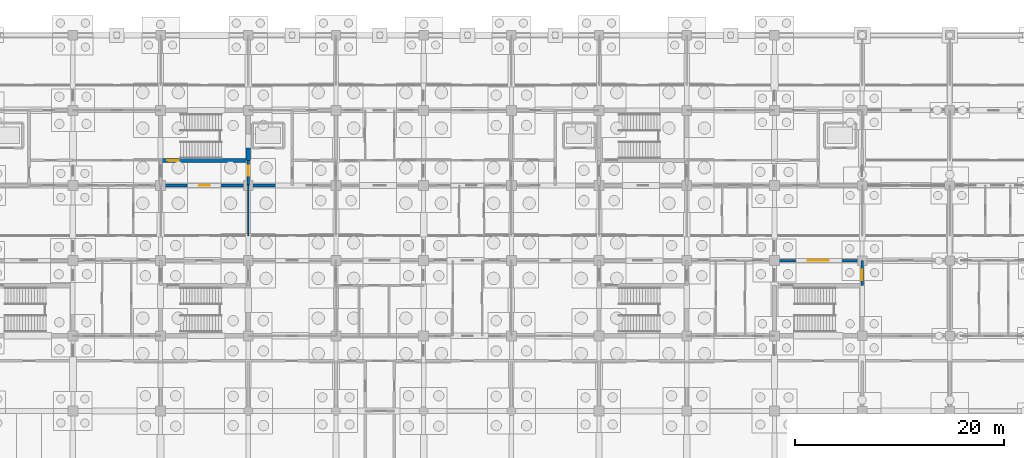
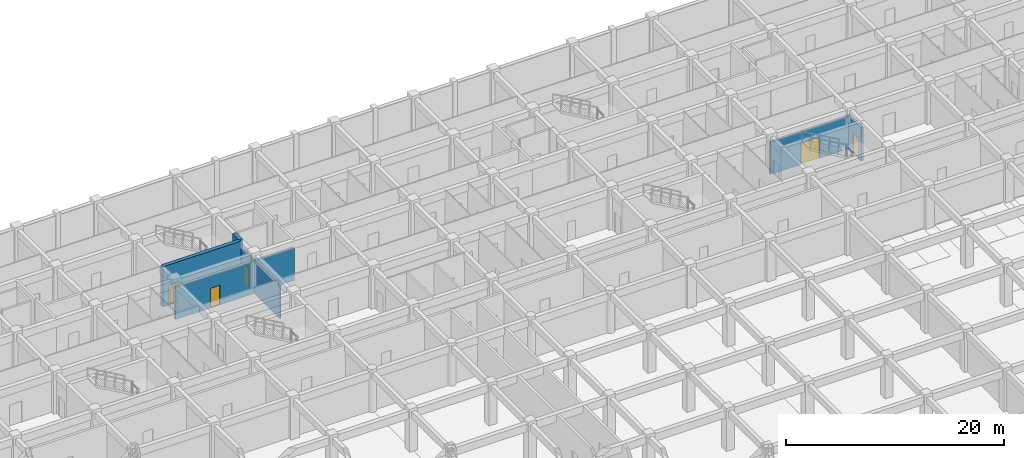
# One storey, part 39 of 85: 7 walls, 5 doors, 5 openings.
"""IFC4 building model written with IfcOpenShell, lengths in metres."""

import ifcopenshell
import ifcopenshell.guid

model = None  # the IFC model being written
_history = None  # IfcOwnerHistory: only IFC2X3 demands one
_inside = {}  # id of a spatial element -> (the spatial element, [elements in it])
_under = {}  # id of a project, library or spatial element -> (it, [spatial elements below it])
_declared = {}  # id of a project -> (the project, [libraries it declares])
_typed = {}  # id of a type object -> (the type object, [elements of that type])
_made_of = {}  # id of a material, layer set ... -> (it, [elements and type objects made of it])


def new_model(schema):
    """Start an empty IFC model of exactly this schema.

    Asked for "IFC4X3", IfcOpenShell would pick the latest addendum, in which some entities
    have other attributes; the version numbers below select the first issue.
    IFC2X3 requires an IfcOwnerHistory on every rooted entity: one is made here for all.
    """
    global model, _history
    if schema == "IFC4X3":
        model = ifcopenshell.file(schema_version=(4, 3, 0, 0))
    else:
        model = ifcopenshell.file(schema=schema)
    _inside.clear()
    _under.clear()
    _declared.clear()
    _typed.clear()
    _made_of.clear()
    _history = None
    if model.schema == "IFC2X3":
        org = make("IfcOrganization", Name="unknown")
        user = make(
            "IfcPersonAndOrganization",
            ThePerson=make("IfcPerson", FamilyName="unknown"),
            TheOrganization=org,
        )
        app = make(
            "IfcApplication",
            ApplicationDeveloper=org,
            Version="unknown",
            ApplicationFullName="unknown",
            ApplicationIdentifier="unknown",
        )
        _history = make(
            "IfcOwnerHistory",
            OwningUser=user,
            OwningApplication=app,
            ChangeAction="ADDED",
            CreationDate=0,
        )
    return model


def make(cls, **values):
    """One entity of the class cls with the attributes given. An attribute that is None is left unset."""
    return model.create_entity(
        cls, **{name: value for name, value in values.items() if value is not None}
    )


def rooted(cls, **values):
    """An entity with a GlobalId (a new one), such as an element, a storey or a relation."""
    return make(cls, GlobalId=ifcopenshell.guid.new(), OwnerHistory=_history, **values)


def si_unit(unit_type, name, prefix=None):
    """IfcSIUnit, for example si_unit("LENGTHUNIT", "METRE", prefix="MILLI")."""
    return make("IfcSIUnit", UnitType=unit_type, Prefix=prefix, Name=name)


def assignment(units):
    """IfcUnitAssignment: the units of a project."""
    return None if units is None else make("IfcUnitAssignment", Units=units)


def point(xyz):
    """IfcCartesianPoint."""
    return None if xyz is None else make("IfcCartesianPoint", Coordinates=xyz)


def direction(xyz):
    """IfcDirection."""
    return None if xyz is None else make("IfcDirection", DirectionRatios=xyz)


def frame(location, z_axis=None, x_axis=None):
    """IfcAxis2Placement3D, a coordinate frame: its origin and axes. An axis left out is left unset."""
    return make(
        "IfcAxis2Placement3D",
        Location=point(location),
        Axis=direction(z_axis),
        RefDirection=direction(x_axis),
    )


def frame_2d(location, x_axis=None):
    """IfcAxis2Placement2D, a coordinate frame in the plane: its origin and x axis."""
    return make(
        "IfcAxis2Placement2D", Location=point(location), RefDirection=direction(x_axis)
    )


def origin():
    """The frame at (0, 0, 0) with its axes left unset."""
    return frame((0.0, 0.0, 0.0))


def place(relative_to, where):
    """IfcLocalPlacement: puts the frame where relative to a parent placement (None: the world)."""
    return make(
        "IfcLocalPlacement", PlacementRelTo=relative_to, RelativePlacement=where
    )


def context(
    kind, dimensions, precision=None, world=None, true_north=None, identifier=None
):
    """IfcGeometricRepresentationContext, for example the 3D "Model" context."""
    return make(
        "IfcGeometricRepresentationContext",
        ContextIdentifier=identifier,
        ContextType=kind,
        CoordinateSpaceDimension=dimensions,
        Precision=precision,
        WorldCoordinateSystem=world,
        TrueNorth=true_north,
    )


def subcontext(parent, identifier, kind, view, scale=None):
    """IfcGeometricRepresentationSubContext, for example "Body" below "Model"."""
    return make(
        "IfcGeometricRepresentationSubContext",
        ContextIdentifier=identifier,
        ContextType=kind,
        ParentContext=parent,
        TargetScale=scale,
        TargetView=view,
    )


def project(units=None, contexts=None):
    """IfcProject with its units and contexts."""
    return rooted(
        "IfcProject",
        Name="project",
        RepresentationContexts=contexts,
        UnitsInContext=assignment(units),
    )


def spatial(cls, under=None, at=None, **own):
    """A site, building, storey or space (cls), placed at a placement, below another one or the project."""
    s = rooted(cls, ObjectPlacement=at, **own)
    if under is not None:
        _under.setdefault(under.id(), (under, []))[1].append(s)
    return s


def profile(cls, at=None, kind="AREA", **sizes):
    """A parametric profile (cls). Its sizes go by their IFC names, for example OverallWidth=200.0."""
    return make(cls, ProfileType=kind, Position=at, **sizes)


def rectangle(**sizes):
    """IfcRectangleProfileDef."""
    return profile("IfcRectangleProfileDef", **sizes)


def extrude(swept, where, along, depth):
    """IfcExtrudedAreaSolid: the profile swept, set in the frame where, extruded along a direction by depth."""
    return make(
        "IfcExtrudedAreaSolid",
        SweptArea=swept,
        Position=where,
        ExtrudedDirection=direction(along),
        Depth=depth,
    )


def shape(context_of_items, identifier, shape_type, items):
    """IfcShapeRepresentation: the items that make up one representation, for example the "Body"."""
    return make(
        "IfcShapeRepresentation",
        ContextOfItems=context_of_items,
        RepresentationIdentifier=identifier,
        RepresentationType=shape_type,
        Items=items,
    )


def material(Name=None, Category=None):
    """IfcMaterial."""
    return make("IfcMaterial", Name=Name, Category=Category)


def layer(
    of_material, thickness, ventilated=None, Name=None, Category=None, Priority=None
):
    """IfcMaterialLayer: one layer of a wall or slab, of a material (None: an air gap)."""
    return make(
        "IfcMaterialLayer",
        Material=of_material,
        LayerThickness=thickness,
        IsVentilated=ventilated,
        Name=Name,
        Category=Category,
        Priority=Priority,
    )


def layer_set(layers, Name=None):
    """IfcMaterialLayerSet."""
    return make("IfcMaterialLayerSet", MaterialLayers=layers, LayerSetName=Name)


def made_of(thing, what):
    """Note that an element or type object is made of a material, layer set ...; save() writes the relation."""
    if what is not None:
        _made_of.setdefault(what.id(), (what, []))[1].append(thing)
    return thing


def type_object(cls, material=None, **own):
    """A type object (cls), such as IfcWallType, which elements share."""
    return made_of(rooted(cls, **own), material)


def element(
    cls,
    number,
    at=None,
    inside=None,
    cuts=None,
    type_object=None,
    material=None,
    context=None,
    identifier="Body",
    shape_type=None,
    held_by="IfcProductDefinitionShape",
    body=None,
    shapes=None,
    **own,
):
    """One element of the class cls, such as IfcWall. Its Tag is "e" and its number.

    at: its placement. inside: the storey or other place that contains it. cuts: it is an
    opening in that element (IfcRelVoidsElement). A single representation is given by context,
    identifier, shape_type and body (its items); several are given by shapes. held_by: the class
    of the entity that holds the representations. save() writes the other relations.
    """
    e = rooted(cls, Tag="e%d" % number, ObjectPlacement=at, **own)
    if body is not None:
        shapes = [shape(context, identifier, shape_type, body)]
    if shapes is not None:
        e.Representation = make(held_by, Representations=shapes)
    if inside is not None:
        _inside.setdefault(inside.id(), (inside, []))[1].append(e)
    if cuts is not None:
        rooted(
            "IfcRelVoidsElement", RelatingBuildingElement=cuts, RelatedOpeningElement=e
        )
    if type_object is not None:
        _typed.setdefault(type_object.id(), (type_object, []))[1].append(e)
    return made_of(e, material)


def fill(opening, filler):
    """IfcRelFillsElement: the door or window that sits in an opening."""
    return rooted(
        "IfcRelFillsElement",
        RelatingOpeningElement=opening,
        RelatedBuildingElement=filler,
    )


def aggregate(whole, parts):
    """IfcRelAggregates: a whole, such as a stair, and the parts it consists of."""
    return rooted("IfcRelAggregates", RelatingObject=whole, RelatedObjects=parts)


def save(model, path):
    """Write the relations noted so far, then the file.

    IfcRelAggregates (storeys below a building ...), IfcRelContainedInSpatialStructure (elements
    in a storey), IfcRelDefinesByType, IfcRelAssociatesMaterial and IfcRelDeclares: one each for
    every whole, place, type object, material and project.
    """
    for whole, parts in _under.values():
        aggregate(whole, parts)
    for where, things in _inside.values():
        rooted(
            "IfcRelContainedInSpatialStructure",
            RelatedElements=things,
            RelatingStructure=where,
        )
    for kind, things in _typed.values():
        rooted("IfcRelDefinesByType", RelatedObjects=things, RelatingType=kind)
    for what, things in _made_of.values():
        rooted("IfcRelAssociatesMaterial", RelatedObjects=things, RelatingMaterial=what)
    for by, libraries in _declared.values():
        rooted("IfcRelDeclares", RelatingContext=by, RelatedDefinitions=libraries)
    model.write(path)


model = new_model("IFC4")

# Units and contexts
model_context = context("Model", 3, precision=1e-05, world=origin(), true_north=direction((0.0, 1.0)))
body_context = subcontext(model_context, "Body", "Model", "MODEL_VIEW")
ifc_project = project(units=[si_unit("LENGTHUNIT", "METRE"), si_unit("AREAUNIT", "SQUARE_METRE"), si_unit("VOLUMEUNIT", "CUBIC_METRE"), si_unit("PLANEANGLEUNIT", "RADIAN"), si_unit("MASSUNIT", "GRAM", prefix="KILO")], contexts=[model_context])

# Site, building, storey
site_placement = place(None, origin())
site = spatial("IfcSite", under=ifc_project, at=site_placement, CompositionType="ELEMENT")
building_placement = place(site_placement, origin())
building = spatial("IfcBuilding", under=site, at=building_placement, Name="Chengyuan Square Courthouse", CompositionType="ELEMENT")
storey_placement = place(building_placement, frame((0.0, 0.0, -10.199951171875)))
storey = spatial("IfcBuildingStorey", under=building, at=storey_placement, Name="B02", CompositionType="ELEMENT", Elevation=-10.199951171875)

# Wall, opening, door
ifc_material_1 = material(Name="Concrete C40", Category="concrete")
ifc_layer_1 = layer(ifc_material_1, 0.25)
ifc_layer_set_1 = layer_set([ifc_layer_1], Name="Concrete C40")
wall_type_1 = type_object("IfcWallType", Name="WL-FW1", PredefinedType="STANDARD", material=ifc_layer_set_1)
wall_1_placement = place(storey_placement, frame((117.60009765625, 93.60009765625, 0.0), z_axis=(0.0, 0.0, 1.0), x_axis=(1.0, 0.0, 0.0)))
wall_1 = element("IfcWall", 1, at=wall_1_placement, inside=storey, type_object=wall_type_1, Name="Interior Wall WL-B02-I058", PredefinedType="STANDARD", context=body_context, shape_type="SweptSolid", body=[
    extrude(rectangle(XDim=8.39990234375, YDim=0.25, at=frame_2d((4.199951171875, 0.0))), origin(), (0.0, 0.0, 1.0), 3.6298828125),
])
opening_1_placement = place(wall_1_placement, frame((3.21240234375, 0.0, 0.0)))
opening_1 = element("IfcOpeningElement", 2, at=opening_1_placement, cuts=wall_1, Name="Opening DR-036", PredefinedType="OPENING", context=body_context, shape_type="SweptSolid", body=[
    extrude(rectangle(XDim=2.0, YDim=2.39990234375, at=frame_2d((1.0, 1.199951171875))), frame((0.0, 0.136962890625, 0.0), z_axis=(0.0, -1.0, 0.0), x_axis=(1.0, 0.0, 0.0)), (0.0, 0.0, 1.0), 0.27392578125),
])
ifc_material_2 = material(Name="Steel Q235B Glazed Fire Door", Category="steel")
door_type_1 = type_object("IfcDoorType", Name="DT-20", OperationType="DOUBLE_DOOR_SINGLE_SWING", PredefinedType="DOOR", material=ifc_material_2)
door_1_placement = place(opening_1_placement, frame((2.0, 0.0, 0.0), z_axis=(0.0, 0.0, 1.0), x_axis=(-1.0, 0.0, 0.0)))
door_1 = element("IfcDoor", 3, at=door_1_placement, inside=storey, type_object=door_type_1, Name="Interior Door DR-036", OperationType="DOUBLE_DOOR_SINGLE_SWING", OverallHeight=2.39990234375, OverallWidth=2.0, PredefinedType="DOOR", context=body_context, shape_type="SweptSolid", body=[
    extrude(rectangle(XDim=2.0, YDim=2.39990234375, at=frame_2d((1.0, 1.199951171875))), frame((0.0, 0.02490234375, 0.0), z_axis=(0.0, -1.0, 0.0), x_axis=(1.0, 0.0, 0.0)), (0.0, 0.0, 1.0), 0.050048828125),
])
fill(opening_1, door_1)

wall_2_placement = place(storey_placement, frame((58.800048828125, 100.800048828125, 0.0), z_axis=(0.0, 0.0, 1.0), x_axis=(1.0, 0.0, 0.0)))
wall_2 = element("IfcWall", 4, at=wall_2_placement, inside=storey, type_object=wall_type_1, Name="Interior Wall WL-B02-I067", PredefinedType="STANDARD", context=body_context, shape_type="SweptSolid", body=[
    extrude(rectangle(XDim=12.599853515625, YDim=0.25, at=frame_2d((6.2998046875, 0.0))), origin(), (0.0, 0.0, 1.0), 3.6298828125),
])
opening_2_placement = place(wall_2_placement, frame((3.699951171875, 0.0, 0.0)))
opening_2 = element("IfcOpeningElement", 5, at=opening_2_placement, cuts=wall_2, Name="Opening DR-023", PredefinedType="OPENING", context=body_context, shape_type="SweptSolid", body=[
    extrude(rectangle(XDim=1.0, YDim=2.199951171875, at=frame_2d((0.5, 1.10009765625))), frame((0.0, 0.136962890625, 0.0), z_axis=(0.0, -1.0, 0.0), x_axis=(1.0, 0.0, 0.0)), (0.0, 0.0, 1.0), 0.27392578125),
])
ifc_material_3 = material(Name="Steel Q235B Fire Door", Category="steel")
door_type_2 = type_object("IfcDoorType", Name="DT-11", OperationType="NOTDEFINED", PredefinedType="DOOR", material=ifc_material_3)
door_2_placement = place(opening_2_placement, origin())
door_2 = element("IfcDoor", 6, at=door_2_placement, inside=storey, type_object=door_type_2, Name="Interior Door DR-023", OperationType="SINGLE_SWING_LEFT", OverallHeight=2.199951171875, OverallWidth=1.0, PredefinedType="DOOR", context=body_context, shape_type="SweptSolid", body=[
    extrude(rectangle(XDim=1.0, YDim=2.199951171875, at=frame_2d((0.5, 1.10009765625))), frame((0.0, 0.02490234375, 0.0), z_axis=(0.0, -1.0, 0.0), x_axis=(1.0, 0.0, 0.0)), (0.0, 0.0, 1.0), 0.050048828125),
])
fill(opening_2, door_2)

wall_3_placement = place(storey_placement, frame((67.199951171875, 100.800048828125, 0.0), z_axis=(0.0, 0.0, 1.0), x_axis=(0.0, 1.0, 0.0)))
wall_3 = element("IfcWall", 7, at=wall_3_placement, inside=storey, type_object=wall_type_1, Name="Interior Wall WL-B02-I175", PredefinedType="STANDARD", context=body_context, shape_type="SweptSolid", body=[
    extrude(rectangle(XDim=2.39990234375, YDim=0.25, at=frame_2d((1.199951171875, 0.0))), origin(), (0.0, 0.0, 1.0), 3.72998046875),
])
opening_3_placement = place(wall_3_placement, frame((0.922607421875, 0.0, 0.0)))
opening_3 = element("IfcOpeningElement", 8, at=opening_3_placement, cuts=wall_3, Name="Opening DR-021", PredefinedType="OPENING", context=body_context, shape_type="SweptSolid", body=[
    extrude(rectangle(XDim=0.949951171875, YDim=2.14990234375, at=frame_2d((0.47509765625, 1.074951171875))), frame((0.0, 0.136962890625, 0.0), z_axis=(0.0, -1.0, 0.0), x_axis=(1.0, 0.0, 0.0)), (0.0, 0.0, 1.0), 0.27392578125),
])
door_type_3 = type_object("IfcDoorType", Name="DT-12", OperationType="NOTDEFINED", PredefinedType="DOOR", material=ifc_material_3)
door_3_placement = place(opening_3_placement, origin())
door_3 = element("IfcDoor", 9, at=door_3_placement, inside=storey, type_object=door_type_3, Name="Interior Door DR-021", OperationType="SINGLE_SWING_LEFT", OverallHeight=2.14990234375, OverallWidth=0.949951171875, PredefinedType="DOOR", context=body_context, shape_type="SweptSolid", body=[
    extrude(rectangle(XDim=0.949951171875, YDim=2.14990234375, at=frame_2d((0.47509765625, 1.074951171875))), frame((0.0, 0.02490234375, 0.0), z_axis=(0.0, -1.0, 0.0), x_axis=(1.0, 0.0, 0.0)), (0.0, 0.0, 1.0), 0.050048828125),
])
fill(opening_3, door_3)

wall_4_placement = place(storey_placement, frame((126.0, 91.199951171875, 0.0), z_axis=(0.0, 0.0, 1.0), x_axis=(0.0, 1.0, 0.0)))
wall_4 = element("IfcWall", 10, at=wall_4_placement, inside=storey, type_object=wall_type_1, Name="Interior Wall WL-B02-I241", PredefinedType="STANDARD", context=body_context, shape_type="SweptSolid", body=[
    extrude(rectangle(XDim=2.400146484375, YDim=0.25, at=frame_2d((1.2001953125, 0.0))), origin(), (0.0, 0.0, 1.0), 3.72998046875),
])
opening_4_placement = place(wall_4_placement, frame((0.514892578125, 0.0, 0.0)))
opening_4 = element("IfcOpeningElement", 11, at=opening_4_placement, cuts=wall_4, Name="Opening DR-038", PredefinedType="OPENING", context=body_context, shape_type="SweptSolid", body=[
    extrude(rectangle(XDim=1.0, YDim=2.199951171875, at=frame_2d((0.5, 1.10009765625))), frame((0.0, 0.136962890625, 0.0), z_axis=(0.0, -1.0, 0.0), x_axis=(1.0, 0.0, 0.0)), (0.0, 0.0, 1.0), 0.27392578125),
])
door_4_placement = place(opening_4_placement, origin())
door_4 = element("IfcDoor", 12, at=door_4_placement, inside=storey, type_object=door_type_2, Name="Interior Door DR-038", OperationType="SINGLE_SWING_RIGHT", OverallHeight=2.199951171875, OverallWidth=1.0, PredefinedType="DOOR", context=body_context, shape_type="SweptSolid", body=[
    extrude(rectangle(XDim=1.0, YDim=2.199951171875, at=frame_2d((0.5, 1.10009765625))), frame((0.0, 0.02490234375, 0.0), z_axis=(0.0, -1.0, 0.0), x_axis=(1.0, 0.0, 0.0)), (0.0, 0.0, 1.0), 0.050048828125),
])
fill(opening_4, door_4)

# Wall
ifc_material_4 = material(Name="Gypsum Plasterboard Acoustic Stud Partition")
ifc_layer_2 = layer(ifc_material_4, 0.10009765625)
ifc_layer_set_2 = layer_set([ifc_layer_2], Name="Gypsum Plasterboard Acoustic Stud Partition")
wall_type_2 = type_object("IfcWallType", Name="WL-PT6", PredefinedType="STANDARD", material=ifc_layer_set_2)
wall_5_placement = place(storey_placement, frame((67.199951171875, 96.0, 0.0), z_axis=(0.0, 0.0, 1.0), x_axis=(0.0, 1.0, 0.0)))
element("IfcWall", 13, at=wall_5_placement, inside=storey, type_object=wall_type_2, Name="Interior Wall WL-B02-I174", PredefinedType="STANDARD", context=body_context, shape_type="SweptSolid", body=[
    extrude(rectangle(XDim=4.800048828125, YDim=0.10009765625, at=frame_2d((2.39990234375, 0.0))), origin(), (0.0, 0.0, 1.0), 3.72998046875),
])

# Wall, opening, door
ifc_material_5 = material(Name="Concrete C50", Category="concrete")
ifc_layer_3 = layer(ifc_material_5, 0.39990234375)
ifc_layer_set_3 = layer_set([ifc_layer_3], Name="Concrete C50")
wall_type_3 = type_object("IfcWallType", Name="WL-SW1", PredefinedType="SHEAR", material=ifc_layer_set_3)
wall_6_placement = place(storey_placement, frame((58.800048828125, 103.199951171875, 0.0), z_axis=(0.0, 0.0, 1.0), x_axis=(1.0, 0.0, 0.0)))
wall_6 = element("IfcWall", 14, at=wall_6_placement, inside=storey, type_object=wall_type_3, Name="Interior Wall WL-B02-I077", PredefinedType="SHEAR", context=body_context, shape_type="SweptSolid", body=[
    extrude(rectangle(XDim=8.39990234375, YDim=0.39990234375, at=frame_2d((4.199951171875, 0.0))), origin(), (0.0, 0.0, 1.0), 4.47998046875),
])
opening_5_placement = place(wall_6_placement, frame((0.64990234375, 0.0, 0.0)))
opening_5 = element("IfcOpeningElement", 15, at=opening_5_placement, cuts=wall_6, Name="Opening DR-011", PredefinedType="OPENING", context=body_context, shape_type="SweptSolid", body=[
    extrude(rectangle(XDim=1.10009765625, YDim=2.199951171875, at=frame_2d((0.550048828125, 1.10009765625))), frame((0.0, 0.2119140625, 0.0), z_axis=(0.0, -1.0, 0.0), x_axis=(1.0, 0.0, 0.0)), (0.0, 0.0, 1.0), 0.423828125),
])
door_type_4 = type_object("IfcDoorType", Name="DT-10", OperationType="NOTDEFINED", PredefinedType="DOOR", material=ifc_material_3)
door_5_placement = place(opening_5_placement, origin())
door_5 = element("IfcDoor", 16, at=door_5_placement, inside=storey, type_object=door_type_4, Name="Smoke-Proof Stairwell Fire Door ST-1 DR-011", OperationType="SINGLE_SWING_LEFT", OverallHeight=2.199951171875, OverallWidth=1.10009765625, PredefinedType="DOOR", context=body_context, shape_type="SweptSolid", body=[
    extrude(rectangle(XDim=1.10009765625, YDim=2.199951171875, at=frame_2d((0.550048828125, 1.10009765625))), frame((0.0, 0.02490234375, 0.0), z_axis=(0.0, -1.0, 0.0), x_axis=(1.0, 0.0, 0.0)), (0.0, 0.0, 1.0), 0.050048828125),
])
fill(opening_5, door_5)

# Wall
wall_7_placement = place(storey_placement, frame((67.199951171875, 103.199951171875, 0.0), z_axis=(0.0, 0.0, 1.0), x_axis=(0.0, 1.0, 0.0)))
element("IfcWall", 17, at=wall_7_placement, inside=storey, type_object=wall_type_3, Name="Interior Wall WL-B02-I176", PredefinedType="SHEAR", context=body_context, shape_type="SweptSolid", body=[
    extrude(rectangle(XDim=1.199951171875, YDim=0.39990234375, at=frame_2d((0.60009765625, 0.0))), origin(), (0.0, 0.0, 1.0), 4.47998046875),
])

save(model, "model.ifc")
